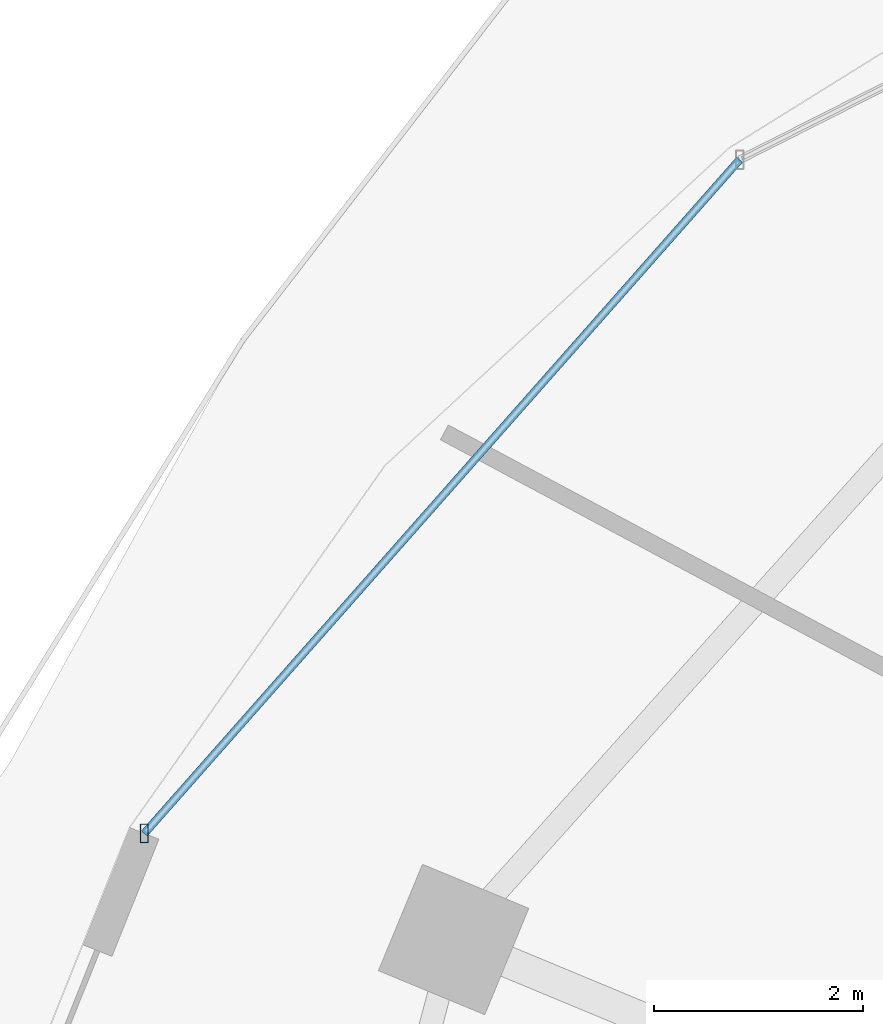
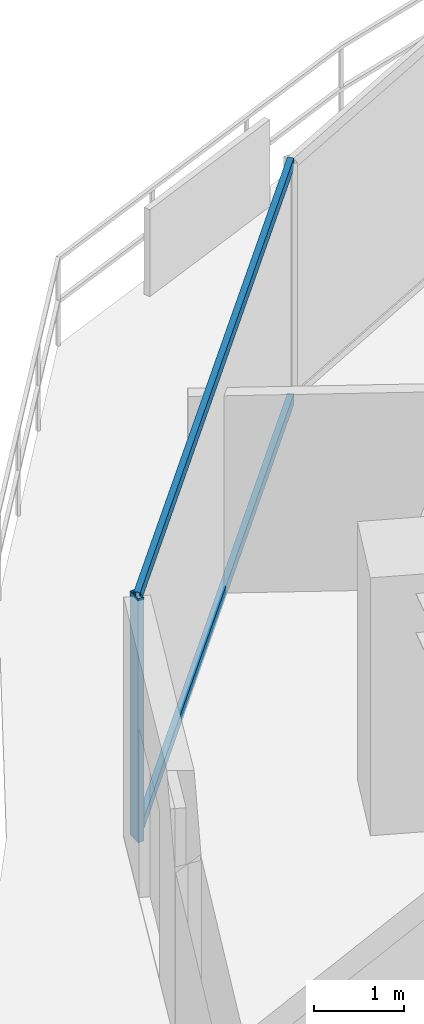
# One storey, part 8 of 29: 3 members, 1 element without a shape of its own.
"""IFC4 building model written with IfcOpenShell, lengths in metres."""

import ifcopenshell
import ifcopenshell.guid

model = None  # the IFC model being written
_history = None  # IfcOwnerHistory: only IFC2X3 demands one
_inside = {}  # id of a spatial element -> (the spatial element, [elements in it])
_under = {}  # id of a project, library or spatial element -> (it, [spatial elements below it])
_declared = {}  # id of a project -> (the project, [libraries it declares])
_typed = {}  # id of a type object -> (the type object, [elements of that type])
_made_of = {}  # id of a material, layer set ... -> (it, [elements and type objects made of it])


def new_model(schema):
    """Start an empty IFC model of exactly this schema.

    Asked for "IFC4X3", IfcOpenShell would pick the latest addendum, in which some entities
    have other attributes; the version numbers below select the first issue.
    IFC2X3 requires an IfcOwnerHistory on every rooted entity: one is made here for all.
    """
    global model, _history
    if schema == "IFC4X3":
        model = ifcopenshell.file(schema_version=(4, 3, 0, 0))
    else:
        model = ifcopenshell.file(schema=schema)
    _inside.clear()
    _under.clear()
    _declared.clear()
    _typed.clear()
    _made_of.clear()
    _history = None
    if model.schema == "IFC2X3":
        org = make("IfcOrganization", Name="unknown")
        user = make(
            "IfcPersonAndOrganization",
            ThePerson=make("IfcPerson", FamilyName="unknown"),
            TheOrganization=org,
        )
        app = make(
            "IfcApplication",
            ApplicationDeveloper=org,
            Version="unknown",
            ApplicationFullName="unknown",
            ApplicationIdentifier="unknown",
        )
        _history = make(
            "IfcOwnerHistory",
            OwningUser=user,
            OwningApplication=app,
            ChangeAction="ADDED",
            CreationDate=0,
        )
    return model


def make(cls, **values):
    """One entity of the class cls with the attributes given. An attribute that is None is left unset."""
    return model.create_entity(
        cls, **{name: value for name, value in values.items() if value is not None}
    )


def rooted(cls, **values):
    """An entity with a GlobalId (a new one), such as an element, a storey or a relation."""
    return make(cls, GlobalId=ifcopenshell.guid.new(), OwnerHistory=_history, **values)


def si_unit(unit_type, name, prefix=None):
    """IfcSIUnit, for example si_unit("LENGTHUNIT", "METRE", prefix="MILLI")."""
    return make("IfcSIUnit", UnitType=unit_type, Prefix=prefix, Name=name)


def assignment(units):
    """IfcUnitAssignment: the units of a project."""
    return None if units is None else make("IfcUnitAssignment", Units=units)


def point(xyz):
    """IfcCartesianPoint."""
    return None if xyz is None else make("IfcCartesianPoint", Coordinates=xyz)


def direction(xyz):
    """IfcDirection."""
    return None if xyz is None else make("IfcDirection", DirectionRatios=xyz)


def frame(location, z_axis=None, x_axis=None):
    """IfcAxis2Placement3D, a coordinate frame: its origin and axes. An axis left out is left unset."""
    return make(
        "IfcAxis2Placement3D",
        Location=point(location),
        Axis=direction(z_axis),
        RefDirection=direction(x_axis),
    )


def frame_2d(location, x_axis=None):
    """IfcAxis2Placement2D, a coordinate frame in the plane: its origin and x axis."""
    return make(
        "IfcAxis2Placement2D", Location=point(location), RefDirection=direction(x_axis)
    )


def origin():
    """The frame at (0, 0, 0) with its axes left unset."""
    return frame((0.0, 0.0, 0.0))


def origin_2d():
    """The frame at (0, 0) in the plane with its x axis left unset."""
    return frame_2d((0.0, 0.0))


def place(relative_to, where):
    """IfcLocalPlacement: puts the frame where relative to a parent placement (None: the world)."""
    return make(
        "IfcLocalPlacement", PlacementRelTo=relative_to, RelativePlacement=where
    )


def context(
    kind, dimensions, precision=None, world=None, true_north=None, identifier=None
):
    """IfcGeometricRepresentationContext, for example the 3D "Model" context."""
    return make(
        "IfcGeometricRepresentationContext",
        ContextIdentifier=identifier,
        ContextType=kind,
        CoordinateSpaceDimension=dimensions,
        Precision=precision,
        WorldCoordinateSystem=world,
        TrueNorth=true_north,
    )


def subcontext(parent, identifier, kind, view, scale=None):
    """IfcGeometricRepresentationSubContext, for example "Body" below "Model"."""
    return make(
        "IfcGeometricRepresentationSubContext",
        ContextIdentifier=identifier,
        ContextType=kind,
        ParentContext=parent,
        TargetScale=scale,
        TargetView=view,
    )


def project(units=None, contexts=None):
    """IfcProject with its units and contexts."""
    return rooted(
        "IfcProject",
        Name="project",
        RepresentationContexts=contexts,
        UnitsInContext=assignment(units),
    )


def spatial(cls, under=None, at=None, **own):
    """A site, building, storey or space (cls), placed at a placement, below another one or the project."""
    s = rooted(cls, ObjectPlacement=at, **own)
    if under is not None:
        _under.setdefault(under.id(), (under, []))[1].append(s)
    return s


def profile(cls, at=None, kind="AREA", **sizes):
    """A parametric profile (cls). Its sizes go by their IFC names, for example OverallWidth=200.0."""
    return make(cls, ProfileType=kind, Position=at, **sizes)


def hollow_rectangle(**sizes):
    """IfcRectangleHollowProfileDef."""
    return profile("IfcRectangleHollowProfileDef", **sizes)


def extrude(swept, where, along, depth):
    """IfcExtrudedAreaSolid: the profile swept, set in the frame where, extruded along a direction by depth."""
    return make(
        "IfcExtrudedAreaSolid",
        SweptArea=swept,
        Position=where,
        ExtrudedDirection=direction(along),
        Depth=depth,
    )


def shape(context_of_items, identifier, shape_type, items):
    """IfcShapeRepresentation: the items that make up one representation, for example the "Body"."""
    return make(
        "IfcShapeRepresentation",
        ContextOfItems=context_of_items,
        RepresentationIdentifier=identifier,
        RepresentationType=shape_type,
        Items=items,
    )


def material(Name=None, Category=None):
    """IfcMaterial."""
    return make("IfcMaterial", Name=Name, Category=Category)


def material_profile(
    of_material, cross_section, Name=None, Category=None, Priority=None
):
    """IfcMaterialProfile: a cross section and its material."""
    return make(
        "IfcMaterialProfile",
        Name=Name,
        Material=of_material,
        Profile=cross_section,
        Priority=Priority,
        Category=Category,
    )


def profile_set(profiles, Name=None, composite=None):
    """IfcMaterialProfileSet."""
    return make(
        "IfcMaterialProfileSet",
        Name=Name,
        MaterialProfiles=profiles,
        CompositeProfile=composite,
    )


def made_of(thing, what):
    """Note that an element or type object is made of a material, layer set ...; save() writes the relation."""
    if what is not None:
        _made_of.setdefault(what.id(), (what, []))[1].append(thing)
    return thing


def type_object(cls, material=None, **own):
    """A type object (cls), such as IfcWallType, which elements share."""
    return made_of(rooted(cls, **own), material)


def element(
    cls,
    number,
    at=None,
    inside=None,
    cuts=None,
    type_object=None,
    material=None,
    context=None,
    identifier="Body",
    shape_type=None,
    held_by="IfcProductDefinitionShape",
    body=None,
    shapes=None,
    **own,
):
    """One element of the class cls, such as IfcWall. Its Tag is "e" and its number.

    at: its placement. inside: the storey or other place that contains it. cuts: it is an
    opening in that element (IfcRelVoidsElement). A single representation is given by context,
    identifier, shape_type and body (its items); several are given by shapes. held_by: the class
    of the entity that holds the representations. save() writes the other relations.
    """
    e = rooted(cls, Tag="e%d" % number, ObjectPlacement=at, **own)
    if body is not None:
        shapes = [shape(context, identifier, shape_type, body)]
    if shapes is not None:
        e.Representation = make(held_by, Representations=shapes)
    if inside is not None:
        _inside.setdefault(inside.id(), (inside, []))[1].append(e)
    if cuts is not None:
        rooted(
            "IfcRelVoidsElement", RelatingBuildingElement=cuts, RelatedOpeningElement=e
        )
    if type_object is not None:
        _typed.setdefault(type_object.id(), (type_object, []))[1].append(e)
    return made_of(e, material)


def aggregate(whole, parts):
    """IfcRelAggregates: a whole, such as a stair, and the parts it consists of."""
    return rooted("IfcRelAggregates", RelatingObject=whole, RelatedObjects=parts)


def save(model, path):
    """Write the relations noted so far, then the file.

    IfcRelAggregates (storeys below a building ...), IfcRelContainedInSpatialStructure (elements
    in a storey), IfcRelDefinesByType, IfcRelAssociatesMaterial and IfcRelDeclares: one each for
    every whole, place, type object, material and project.
    """
    for whole, parts in _under.values():
        aggregate(whole, parts)
    for where, things in _inside.values():
        rooted(
            "IfcRelContainedInSpatialStructure",
            RelatedElements=things,
            RelatingStructure=where,
        )
    for kind, things in _typed.values():
        rooted("IfcRelDefinesByType", RelatedObjects=things, RelatingType=kind)
    for what, things in _made_of.values():
        rooted("IfcRelAssociatesMaterial", RelatedObjects=things, RelatingMaterial=what)
    for by, libraries in _declared.values():
        rooted("IfcRelDeclares", RelatingContext=by, RelatedDefinitions=libraries)
    model.write(path)


model = new_model("IFC4")

# Units and contexts
model_context = context("Model", 3, precision=1e-05, world=origin(), true_north=direction((0.0, 1.0)))
body_context = subcontext(model_context, "Body", "Model", "MODEL_VIEW")
ifc_project = project(units=[si_unit("LENGTHUNIT", "METRE"), si_unit("AREAUNIT", "SQUARE_METRE"), si_unit("VOLUMEUNIT", "CUBIC_METRE"), si_unit("PLANEANGLEUNIT", "RADIAN"), si_unit("MASSUNIT", "GRAM", prefix="KILO")], contexts=[model_context])

# Site, building, storey
site_placement = place(None, origin())
site = spatial("IfcSite", under=ifc_project, at=site_placement, CompositionType="ELEMENT")
building_placement = place(site_placement, origin())
building = spatial("IfcBuilding", under=site, at=building_placement, Name="Vorneva Point Tower", CompositionType="ELEMENT")
storey_placement = place(building_placement, frame((0.0, 0.0, 110.300048828125)))
storey = spatial("IfcBuildingStorey", under=building, at=storey_placement, Name="L29", CompositionType="ELEMENT", Elevation=110.300048828125)

# Curtain wall, members
ifc_material = material(Name="Pale anodised aluminium", Category="aluminium")
curtain_wall_type = type_object("IfcCurtainWallType", Name="CW-HTL-SYS", PredefinedType="NOTDEFINED", material=ifc_material)
curtain_wall_placement = place(storey_placement, origin())
curtain_wall = element("IfcCurtainWall", 1, at=curtain_wall_placement, inside=storey, type_object=curtain_wall_type, Name="L29 Unitised Curtain Wall CW-L29-R02", PredefinedType="NOTDEFINED")
ifc_material_profile_1 = material_profile(ifc_material, hollow_rectangle(XDim=0.074951171875, YDim=0.179931640625, WallThickness=0.00390625, at=origin_2d()), Name="AL-MUL 180x75x4")
ifc_profile_set_1 = profile_set([ifc_material_profile_1], Name="Pale anodised aluminium")
member_type_1 = type_object("IfcMemberType", Name="CW-MUL-180", PredefinedType="MULLION", material=ifc_profile_set_1)
member_1_placement = place(storey_placement, frame((13.748291015625, 33.59619140625, -0.0400390625), z_axis=(0.0, 0.0, 1.0), x_axis=(1.0, 0.0, 0.0)))
member_1 = element("IfcMember", 2, at=member_1_placement, type_object=member_type_1, Name="CW-L29-R02 Mullion 06", PredefinedType="MULLION", context=body_context, shape_type="SweptSolid", body=[
    extrude(hollow_rectangle(XDim=0.074951171875, YDim=0.179931640625, WallThickness=0.00390625, at=origin_2d()), origin(), (0.0, 0.0, 1.0), 3.31005859375),
])
ifc_material_profile_2 = material_profile(ifc_material, hollow_rectangle(XDim=0.074951171875, YDim=0.14990234375, WallThickness=0.00390625, at=origin_2d()), Name="AL-TRN 150x75x4")
ifc_profile_set_2 = profile_set([ifc_material_profile_2], Name="Pale anodised aluminium")
member_type_2 = type_object("IfcMemberType", Name="CW-TRN-150", PredefinedType="USERDEFINED", material=ifc_profile_set_2)
member_2_placement = place(storey_placement, frame((19.4384765625, 40.0361328125, 0.02001953125), z_axis=(-0.662137326257, -0.74938251993, 0.0), x_axis=(0.74938251993, -0.662137326257, 0.0)))
member_2 = element("IfcMember", 3, at=member_2_placement, type_object=member_type_2, Name="CW-L29-R02 Transom 05.1", ObjectType="TRANSOM", PredefinedType="USERDEFINED", context=body_context, shape_type="SweptSolid", body=[
    extrude(hollow_rectangle(XDim=0.074951171875, YDim=0.14990234375, WallThickness=0.00390625, at=origin_2d()), origin(), (0.0, 0.0, 1.0), 8.59375),
])
member_3_placement = place(storey_placement, frame((19.4384765625, 40.0361328125, 3.219970703125), z_axis=(-0.662137326257, -0.74938251993, 0.0), x_axis=(0.74938251993, -0.662137326257, 0.0)))
member_3 = element("IfcMember", 4, at=member_3_placement, type_object=member_type_2, Name="CW-L29-R02 Transom 05.2", ObjectType="TRANSOM", PredefinedType="USERDEFINED", context=body_context, shape_type="SweptSolid", body=[
    extrude(hollow_rectangle(XDim=0.074951171875, YDim=0.14990234375, WallThickness=0.00390625, at=origin_2d()), origin(), (0.0, 0.0, 1.0), 8.59375),
])
aggregate(curtain_wall, [member_1, member_2, member_3])

save(model, "model.ifc")
